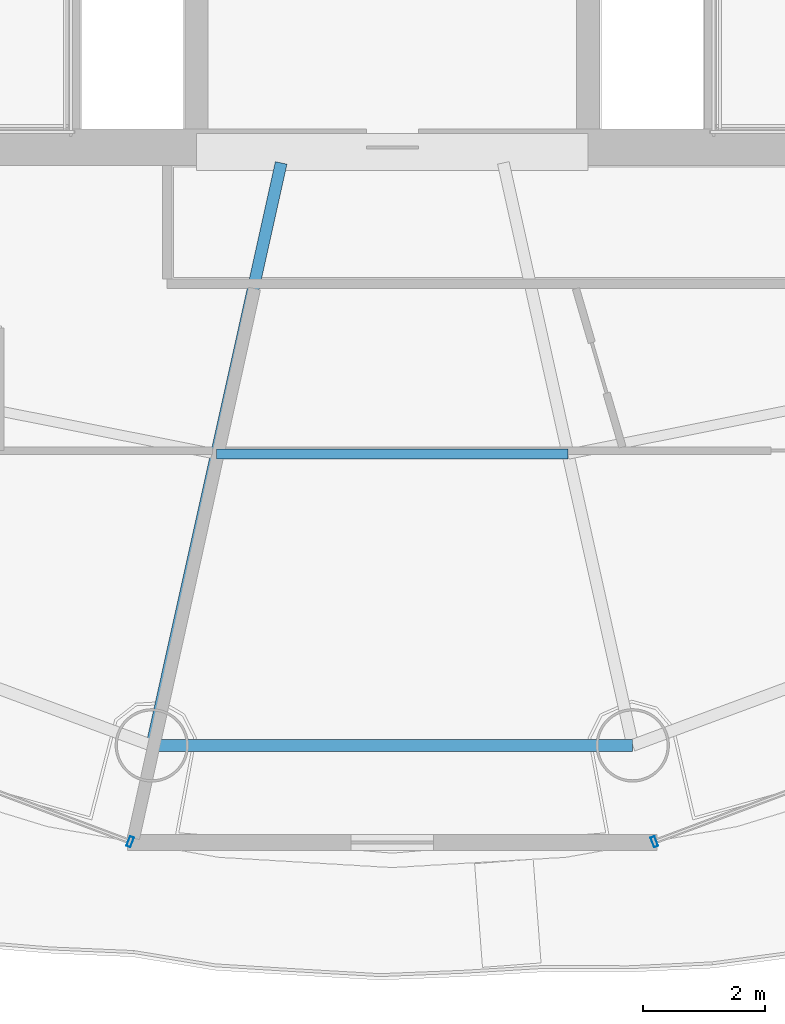
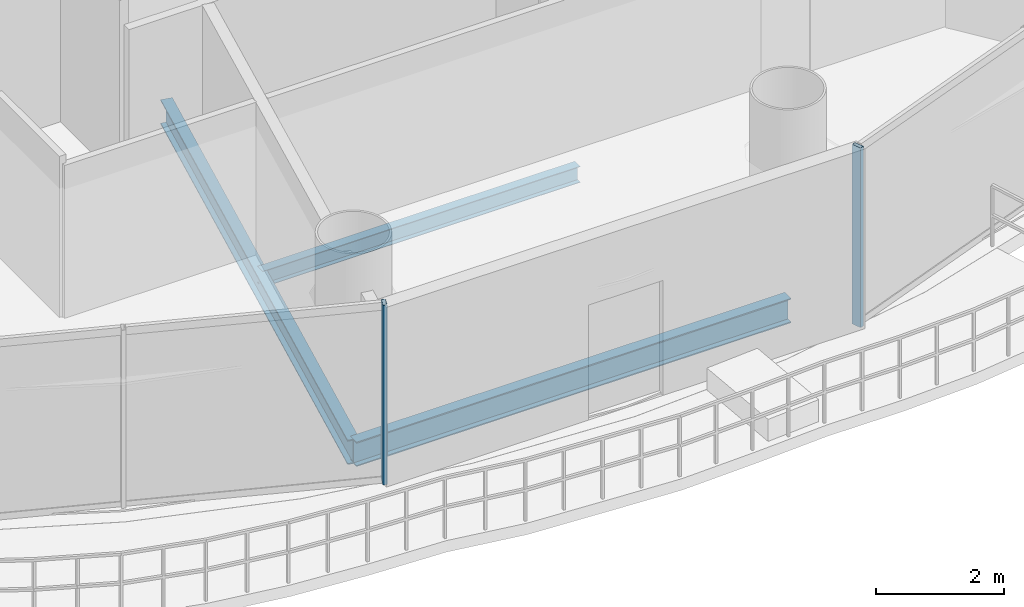
# One storey, part 5 of 26: 3 beams, 2 members, 2 elements without a shape of their own.
"""IFC4 building model written with IfcOpenShell, lengths in metres."""

from ifc_helpers import new_model, si_unit, direction, frame, origin, origin_2d, place, context, subcontext, project, spatial, hollow_rectangle, i_section, extrude, source, transform, mapped, material, material_profile, profile_set, type_object, element, aggregate, save


model = new_model("IFC4")

# Units and contexts
model_context = context("Model", 3, precision=1e-05, world=origin(), true_north=direction((-0.2419218956, 0.970295726276)))
body_context = subcontext(model_context, "Body", "Model", "MODEL_VIEW")
ifc_project = project(units=[si_unit("LENGTHUNIT", "METRE"), si_unit("AREAUNIT", "SQUARE_METRE"), si_unit("VOLUMEUNIT", "CUBIC_METRE"), si_unit("PLANEANGLEUNIT", "RADIAN"), si_unit("MASSUNIT", "GRAM", prefix="KILO")], contexts=[model_context])

# Site, building, storey
site_placement = place(None, origin())
site = spatial("IfcSite", under=ifc_project, at=site_placement, CompositionType="ELEMENT")
building_placement = place(site_placement, origin())
building = spatial("IfcBuilding", under=site, at=building_placement, Name="Cobrevalo Terracotta Tower", CompositionType="ELEMENT")
storey_placement = place(building_placement, frame((0.0, 0.0, 231.89990234375)))
storey = spatial("IfcBuildingStorey", under=building, at=storey_placement, Name="L61", CompositionType="ELEMENT", Elevation=231.89990234375)

# Beams
ifc_material_1 = material(Name="Steel S355", Category="steel")
ifc_material_profile_1 = material_profile(ifc_material_1, i_section(OverallWidth=0.194091796875, OverallDepth=0.468994140625, WebThickness=0.011474609375, FlangeThickness=0.0205078125, at=origin_2d()), Name="W 460x106")
ifc_profile_set_1 = profile_set([ifc_material_profile_1], Name="Steel S355")
beam_type_1 = type_object("IfcBeamType", Name="Structural Beam W 460x106 (Steel S355)", PredefinedType="BEAM", material=ifc_profile_set_1)
beam_1_placement = place(storey_placement, frame((34.06884765625, 9.096923828125, -0.49951171875), z_axis=(0.216782061165, 0.976220025382, 0.0), x_axis=(-0.976220025382, 0.216782061165, 0.0)))
element("IfcBeam", 1, at=beam_1_placement, inside=storey, type_object=beam_type_1, Name="L61 radial floor girder 12", PredefinedType="BEAM", context=body_context, shape_type="SweptSolid", body=[
    extrude(i_section(OverallWidth=0.194091796875, OverallDepth=0.468994140625, WebThickness=0.011474609375, FlangeThickness=0.0205078125, at=origin_2d()), origin(), (0.0, 0.0, 1.0), 9.755126953125),
])
ifc_material_profile_2 = material_profile(ifc_material_1, i_section(OverallWidth=0.1650390625, OverallDepth=0.31005859375, WebThickness=0.005859375, FlangeThickness=0.009765625, at=origin_2d()), Name="W 310x38.7")
ifc_profile_set_2 = profile_set([ifc_material_profile_2], Name="Steel S355")
beam_type_2 = type_object("IfcBeamType", Name="Structural Joist W 310x38.7 (Steel S355)", PredefinedType="JOIST", material=ifc_profile_set_2)
beam_2_placement = place(storey_placement, frame((35.126220703125, 13.8583984375, -0.419921875), z_axis=(1.0, 0.0, 0.0), x_axis=(0.0, 1.0, 0.0)))
element("IfcBeam", 2, at=beam_2_placement, inside=storey, type_object=beam_type_2, Name="L61 circumferential secondary floor joist 12", PredefinedType="JOIST", context=body_context, shape_type="SweptSolid", body=[
    extrude(i_section(OverallWidth=0.1650390625, OverallDepth=0.31005859375, WebThickness=0.005859375, FlangeThickness=0.009765625, at=origin_2d()), origin(), (0.0, 0.0, 1.0), 5.74755859375),
])
ifc_material_profile_3 = material_profile(ifc_material_1, i_section(OverallWidth=0.194091796875, OverallDepth=0.468994140625, WebThickness=0.011474609375, FlangeThickness=0.0205078125, at=origin_2d()), Name="W 460x106")
ifc_profile_set_3 = profile_set([ifc_material_profile_3], Name="Steel S355")
beam_type_3 = type_object("IfcBeamType", Name="Structural Spandrel W 460x106 (Steel S355)", PredefinedType="SPANDREL", material=ifc_profile_set_3)
beam_3_placement = place(storey_placement, frame((34.06884765625, 9.096923828125, -0.49951171875), z_axis=(1.0, 0.0, 0.0), x_axis=(0.0, 1.0, 0.0)))
element("IfcBeam", 3, at=beam_3_placement, inside=storey, type_object=beam_type_3, Name="L61 perimeter ring spandrel 12", PredefinedType="SPANDREL", context=body_context, shape_type="SweptSolid", body=[
    extrude(i_section(OverallWidth=0.194091796875, OverallDepth=0.468994140625, WebThickness=0.011474609375, FlangeThickness=0.0205078125, at=origin_2d()), origin(), (0.0, 0.0, 1.0), 7.8623046875),
])

# Curtain wall, member
ifc_material_2 = material(Name="Anodized aluminium", Category="aluminium")
curtain_wall_type = type_object("IfcCurtainWallType", Name="Mid-tower high-wind unitised curtain wall CW-U2", PredefinedType="NOTDEFINED", material=ifc_material_2)
curtain_wall_1_placement = place(storey_placement, origin())
curtain_wall_1 = element("IfcCurtainWall", 4, at=curtain_wall_1_placement, inside=storey, type_object=curtain_wall_type, Name="L61 curtain wall CW-L61-S11", PredefinedType="NOTDEFINED")
ifc_material_profile_4 = material_profile(ifc_material_2, hollow_rectangle(XDim=0.070068359375, YDim=0.169921875, WallThickness=0.00439453125, at=origin_2d()), Name="CWM 70x170")
ifc_profile_set_4 = profile_set([ifc_material_profile_4], Name="Anodized aluminium")
member_type = type_object("IfcMemberType", Name="Upper tower unitised mullion 70x170", PredefinedType="MULLION", material=ifc_profile_set_4)
shared_shape = source(origin(), body_context, "Body", "SweptSolid", [
    extrude(hollow_rectangle(XDim=0.070068359375, YDim=0.169921875, WallThickness=0.00439453125, at=origin_2d()), origin(), (0.0, 0.0, 1.0), 3.43505859375),
])
member_1_placement = place(storey_placement, frame((33.71533203125, 7.52197265625, 0.0), z_axis=(0.0, 0.0, 1.0), x_axis=(0.936556004584, -0.350517974259, 0.0)))
member_1 = element("IfcMember", 5, at=member_1_placement, type_object=member_type, Name="CW-L61-S11 vertical mullion 03", PredefinedType="MULLION", context=body_context, shape_type="MappedRepresentation", body=[
    mapped(shared_shape, transform((0.0, 0.0, 0.0), scale=1.0)),
])
aggregate(curtain_wall_1, [member_1])

curtain_wall_2_placement = place(storey_placement, origin())
curtain_wall_2 = element("IfcCurtainWall", 6, at=curtain_wall_2_placement, inside=storey, type_object=curtain_wall_type, Name="L61 curtain wall CW-L61-S13", PredefinedType="NOTDEFINED")
member_2_placement = place(storey_placement, frame((42.28466796875, 7.52197265625, 0.0), z_axis=(0.0, 0.0, 1.0), x_axis=(0.936556004584, 0.350517974259, 0.0)))
member_2 = element("IfcMember", 7, at=member_2_placement, type_object=member_type, Name="CW-L61-S13 vertical mullion 01", PredefinedType="MULLION", context=body_context, shape_type="MappedRepresentation", body=[
    mapped(shared_shape, transform((0.0, 0.0, 0.0), scale=1.0)),
])
aggregate(curtain_wall_2, [member_2])

save(model, "model.ifc")
